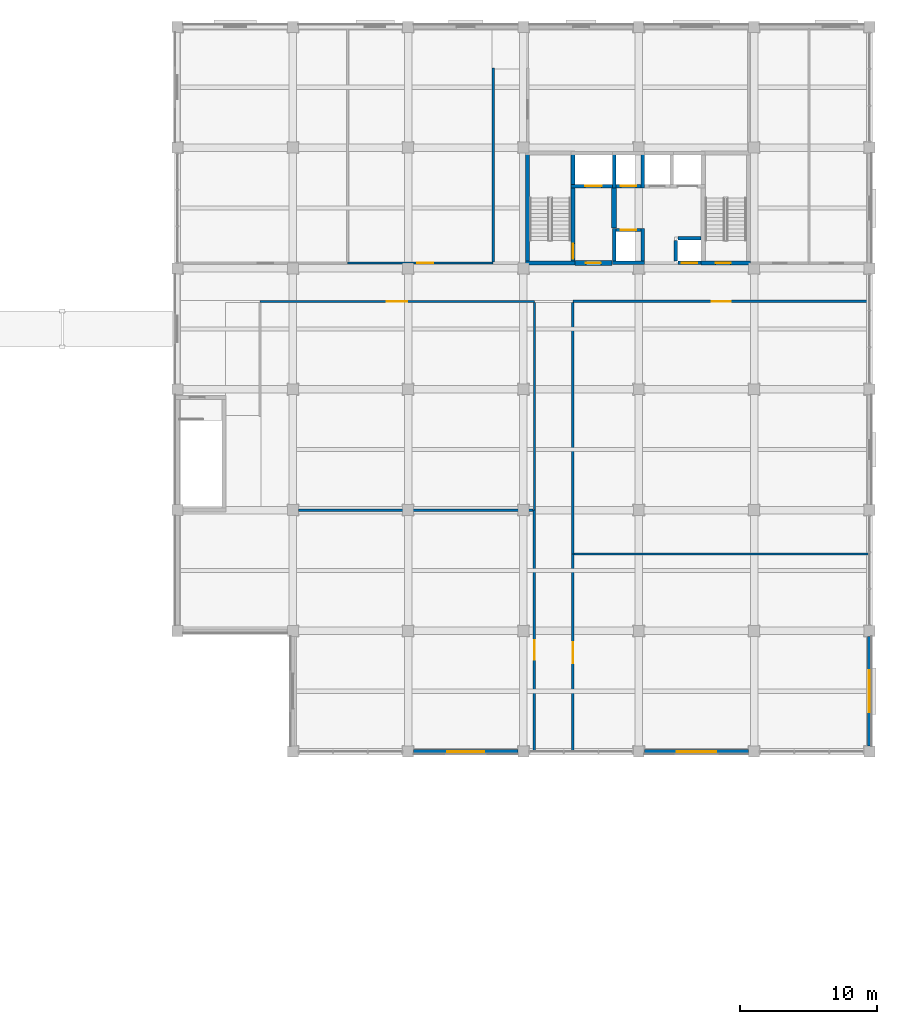
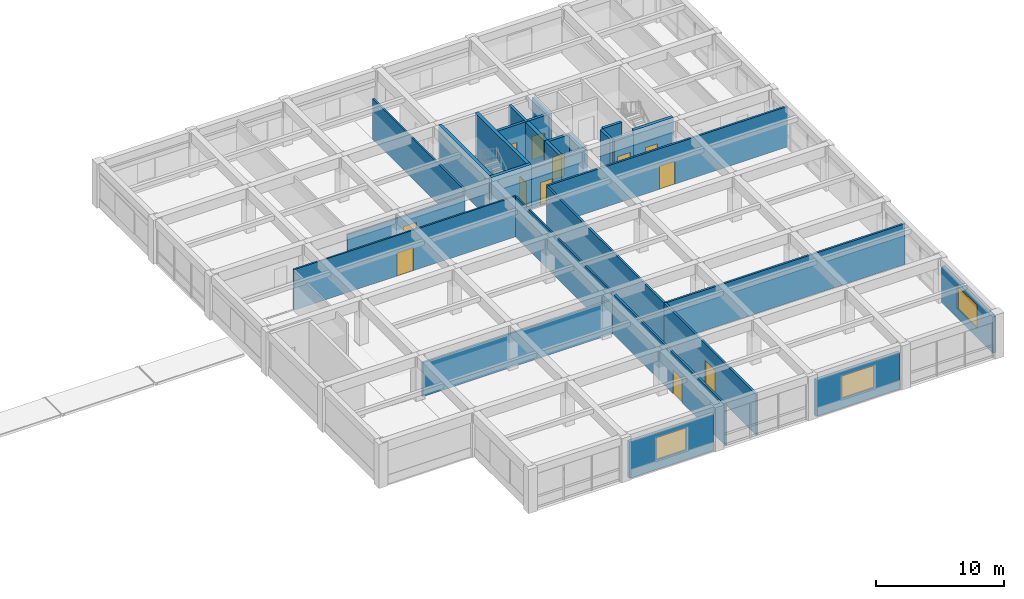
# One storey, part 35 of 46: 30 walls, 12 doors, 3 windows, 15 openings.
"""IFC4 building model written with IfcOpenShell, lengths in metres."""

from ifc_helpers import new_model, si_unit, direction, frame, frame_2d, origin, place, context, subcontext, project, spatial, rectangle, extrude, material, layer, layer_set, type_object, element, fill, save


model = new_model("IFC4")

# Units and contexts
model_context = context("Model", 3, precision=1e-05, world=origin(), true_north=direction((0.0, 1.0)))
body_context = subcontext(model_context, "Body", "Model", "MODEL_VIEW")
ifc_project = project(units=[si_unit("LENGTHUNIT", "METRE"), si_unit("AREAUNIT", "SQUARE_METRE"), si_unit("VOLUMEUNIT", "CUBIC_METRE"), si_unit("PLANEANGLEUNIT", "RADIAN"), si_unit("MASSUNIT", "GRAM", prefix="KILO")], contexts=[model_context])

# Site, building, storey
site_placement = place(None, origin())
site = spatial("IfcSite", under=ifc_project, at=site_placement, CompositionType="ELEMENT")
building_placement = place(site_placement, origin())
building = spatial("IfcBuilding", under=site, at=building_placement, Name="Kemercrest Conservatory and Botanical Centre", CompositionType="ELEMENT")
storey_placement = place(building_placement, frame((0.0, 0.0, 9.0)))
storey = spatial("IfcBuildingStorey", under=building, at=storey_placement, Name="L02", CompositionType="ELEMENT", Elevation=9.0)

# Wall
ifc_material_1 = material(Name="Concrete C50/60", Category="concrete")
ifc_layer_1 = layer(ifc_material_1, 0.35009765625)
ifc_layer_set_1 = layer_set([ifc_layer_1], Name="Concrete C50/60")
wall_type_1 = type_object("IfcWallType", Name="CW-CORE", PredefinedType="SHEAR", material=ifc_layer_set_1)
wall_1_placement = place(storey_placement, frame((157.39990234375, 107.75, 0.0), z_axis=(0.0, 0.0, 1.0), x_axis=(0.0, 1.0, 0.0)))
element("IfcWall", 1, at=wall_1_placement, inside=storey, type_object=wall_type_1, Name="Firefighting lift lobby 2-hour separation shear wall", PredefinedType="SHEAR", context=body_context, shape_type="SweptSolid", body=[
    extrude(rectangle(XDim=2.89990234375, YDim=0.35009765625, at=frame_2d((1.449951171875, 0.0))), origin(), (0.0, 0.0, 1.0), 3.8798828125),
])

# Wall, opening, door
wall_2_placement = place(storey_placement, frame((154.550048828125, 105.199951171875, 0.0), z_axis=(0.0, 0.0, 1.0), x_axis=(1.0, 0.0, 0.0)))
wall_2 = element("IfcWall", 2, at=wall_2_placement, inside=storey, type_object=wall_type_1, Name="Firefighting lift lobby south shear wall", PredefinedType="SHEAR", context=body_context, shape_type="SweptSolid", body=[
    extrude(rectangle(XDim=2.699951171875, YDim=0.35009765625, at=frame_2d((1.35009765625, 0.0))), origin(), (0.0, 0.0, 1.0), 3.8798828125),
])
opening_1_placement = place(wall_2_placement, frame((0.800048828125, 0.0, 0.0)))
opening_1 = element("IfcOpeningElement", 3, at=opening_1_placement, cuts=wall_2, Name="Opening D075", PredefinedType="OPENING", context=body_context, shape_type="SweptSolid", body=[
    extrude(rectangle(XDim=1.10009765625, YDim=2.199951171875, at=frame_2d((0.550048828125, 1.10009765625))), frame((0.0, 0.18505859375, 0.0), z_axis=(0.0, -1.0, 0.0), x_axis=(1.0, 0.0, 0.0)), (0.0, 0.0, 1.0), 0.3701171875),
])
ifc_material_2 = material(Name="Powder-coated galvanized steel and fire-rated vision glass", Category="steel")
door_type_1 = type_object("IfcDoorType", Name="DT-FD90", OperationType="NOTDEFINED", PredefinedType="DOOR", material=ifc_material_2)
door_1_placement = place(opening_1_placement, origin())
door_1 = element("IfcDoor", 4, at=door_1_placement, inside=storey, type_object=door_type_1, Name="Firefighting lift lobby corridor fire door D075", OperationType="SINGLE_SWING_LEFT", OverallHeight=2.199951171875, OverallWidth=1.10009765625, PredefinedType="DOOR", context=body_context, shape_type="SweptSolid", body=[
    extrude(rectangle(XDim=1.10009765625, YDim=2.199951171875, at=frame_2d((0.550048828125, 1.10009765625))), frame((0.0, 0.02490234375, 0.0), z_axis=(0.0, -1.0, 0.0), x_axis=(1.0, 0.0, 0.0)), (0.0, 0.0, 1.0), 0.050048828125),
])
fill(opening_1, door_1)

# Walls
ifc_layer_2 = layer(ifc_material_1, 0.300048828125)
ifc_layer_set_2 = layer_set([ifc_layer_2], Name="Concrete C50/60")
wall_type_2 = type_object("IfcWallType", Name="CW-STAIR", PredefinedType="SHEAR", material=ifc_layer_set_2)
wall_3_placement = place(storey_placement, frame((150.949951171875, 105.199951171875, 0.0), z_axis=(0.0, 0.0, 1.0), x_axis=(1.0, 0.0, 0.0)))
element("IfcWall", 5, at=wall_3_placement, inside=storey, type_object=wall_type_2, Name="Stair core ST-V4A shear wall S", PredefinedType="SHEAR", context=body_context, shape_type="SweptSolid", body=[
    extrude(rectangle(XDim=3.60009765625, YDim=0.300048828125, at=frame_2d((1.800048828125, 0.0))), origin(), (0.0, 0.0, 1.0), 4.199951171875),
])
wall_4_placement = place(storey_placement, frame((151.10009765625, 105.050048828125, 0.0), z_axis=(0.0, 0.0, 1.0), x_axis=(0.0, 1.0, 0.0)))
element("IfcWall", 6, at=wall_4_placement, inside=storey, type_object=wall_type_2, Name="Stair core ST-V4A shear wall W", PredefinedType="SHEAR", context=body_context, shape_type="SweptSolid", body=[
    extrude(rectangle(XDim=8.300048828125, YDim=0.300048828125, at=frame_2d((4.14990234375, 0.0))), origin(), (0.0, 0.0, 1.0), 4.199951171875),
])

# Wall, opening, door
wall_5_placement = place(storey_placement, frame((154.39990234375, 105.050048828125, 0.0), z_axis=(0.0, 0.0, 1.0), x_axis=(0.0, 1.0, 0.0)))
wall_5 = element("IfcWall", 7, at=wall_5_placement, inside=storey, type_object=wall_type_2, Name="Stair core ST-V4A shear wall E", PredefinedType="SHEAR", context=body_context, shape_type="SweptSolid", body=[
    extrude(rectangle(XDim=8.300048828125, YDim=0.300048828125, at=frame_2d((4.14990234375, 0.0))), origin(), (0.0, 0.0, 1.0), 4.199951171875),
])
opening_2_placement = place(wall_5_placement, frame((0.449951171875, 0.0, 0.0)))
opening_2 = element("IfcOpeningElement", 8, at=opening_2_placement, cuts=wall_5, Name="Opening D028", PredefinedType="OPENING", context=body_context, shape_type="SweptSolid", body=[
    extrude(rectangle(XDim=1.10009765625, YDim=2.199951171875, at=frame_2d((0.550048828125, 1.10009765625))), frame((0.0, 0.16015625, 0.0), z_axis=(0.0, -1.0, 0.0), x_axis=(1.0, 0.0, 0.0)), (0.0, 0.0, 1.0), 0.320068359375),
])
door_2_placement = place(opening_2_placement, frame((1.10009765625, 0.0, 0.0), z_axis=(0.0, 0.0, 1.0), x_axis=(-1.0, 0.0, 0.0)))
door_2 = element("IfcDoor", 9, at=door_2_placement, inside=storey, type_object=door_type_1, Name="Exit stair ST-V4A fire door D028", OperationType="SINGLE_SWING_RIGHT", OverallHeight=2.199951171875, OverallWidth=1.10009765625, PredefinedType="DOOR", context=body_context, shape_type="SweptSolid", body=[
    extrude(rectangle(XDim=1.10009765625, YDim=2.199951171875, at=frame_2d((0.550048828125, 1.10009765625))), frame((0.0, 0.02490234375, 0.0), z_axis=(0.0, -1.0, 0.0), x_axis=(1.0, 0.0, 0.0)), (0.0, 0.0, 1.0), 0.050048828125),
])
fill(opening_2, door_2)

wall_6_placement = place(storey_placement, frame((163.75, 105.199951171875, 0.0), z_axis=(0.0, 0.0, 1.0), x_axis=(1.0, 0.0, 0.0)))
wall_6 = element("IfcWall", 10, at=wall_6_placement, inside=storey, type_object=wall_type_2, Name="Stair core ST-V4B shear wall S", PredefinedType="SHEAR", context=body_context, shape_type="SweptSolid", body=[
    extrude(rectangle(XDim=3.60009765625, YDim=0.300048828125, at=frame_2d((1.800048828125, 0.0))), origin(), (0.0, 0.0, 1.0), 4.199951171875),
])
opening_3_placement = place(wall_6_placement, frame((1.050048828125, 0.0, 0.0)))
opening_3 = element("IfcOpeningElement", 11, at=opening_3_placement, cuts=wall_6, Name="Opening D047", PredefinedType="OPENING", context=body_context, shape_type="SweptSolid", body=[
    extrude(rectangle(XDim=1.10009765625, YDim=2.199951171875, at=frame_2d((0.550048828125, 1.10009765625))), frame((0.0, 0.16015625, 0.0), z_axis=(0.0, -1.0, 0.0), x_axis=(1.0, 0.0, 0.0)), (0.0, 0.0, 1.0), 0.320068359375),
])
door_3_placement = place(opening_3_placement, origin())
door_3 = element("IfcDoor", 12, at=door_3_placement, inside=storey, type_object=door_type_1, Name="Exit stair ST-V4B fire door D047", OperationType="SINGLE_SWING_LEFT", OverallHeight=2.199951171875, OverallWidth=1.10009765625, PredefinedType="DOOR", context=body_context, shape_type="SweptSolid", body=[
    extrude(rectangle(XDim=1.10009765625, YDim=2.199951171875, at=frame_2d((0.550048828125, 1.10009765625))), frame((0.0, 0.02490234375, 0.0), z_axis=(0.0, -1.0, 0.0), x_axis=(1.0, 0.0, 0.0)), (0.0, 0.0, 1.0), 0.050048828125),
])
fill(opening_3, door_3)

# Wall, opening, window
ifc_material_3 = material(Name="Precast concrete C40/50", Category="concrete")
ifc_layer_3 = layer(ifc_material_3, 0.300048828125)
ifc_layer_set_3 = layer_set([ifc_layer_3], Name="Precast concrete C40/50")
wall_type_3 = type_object("IfcWallType", Name="W-EXT300", PredefinedType="SOLIDWALL", material=ifc_layer_set_3)
wall_7_placement = place(storey_placement, frame((142.81005859375, 69.60009765625, 0.0), z_axis=(0.0, 0.0, 1.0), x_axis=(1.0, 0.0, 0.0)))
wall_7 = element("IfcWall", 13, at=wall_7_placement, inside=storey, type_object=wall_type_3, Name="Exterior almasik wall W-EXT300 (WAL:L02:EXT-193)", PredefinedType="SOLIDWALL", context=body_context, shape_type="SweptSolid", body=[
    extrude(rectangle(XDim=7.579833984375, YDim=0.300048828125, at=frame_2d((3.7900390625, 0.0))), origin(), (0.0, 0.0, 1.0), 3.449951171875),
])
opening_4_placement = place(wall_7_placement, frame((2.449951171875, 0.0, 0.89990234375)))
opening_4 = element("IfcOpeningElement", 14, at=opening_4_placement, cuts=wall_7, Name="Opening WT-38", PredefinedType="OPENING", context=body_context, shape_type="SweptSolid", body=[
    extrude(rectangle(XDim=2.679931640625, YDim=2.1201171875, at=frame_2d((1.33984375, 1.06005859375))), frame((0.0, 0.16015625, 0.0), z_axis=(0.0, -1.0, 0.0), x_axis=(1.0, 0.0, 0.0)), (0.0, 0.0, 1.0), 0.320068359375),
])
ifc_material_4 = material(Name="Thermally broken bronze-anodized aluminium and triple glazing", Category="aluminium")
window_type_1 = type_object("IfcWindowType", Name="WT-38", PartitioningType="SINGLE_PANEL", PredefinedType="WINDOW", material=ifc_material_4)
window_1_placement = place(opening_4_placement, origin())
window_1 = element("IfcWindow", 15, at=window_1_placement, inside=storey, type_object=window_type_1, Name="Exterior window WT-38 (WIN:L02:EXT-193)", OverallHeight=2.1201171875, OverallWidth=2.679931640625, PartitioningType="SINGLE_PANEL", PredefinedType="WINDOW", context=body_context, shape_type="SweptSolid", body=[
    extrude(rectangle(XDim=2.679931640625, YDim=2.1201171875, at=frame_2d((1.33984375, 1.06005859375))), frame((0.0, 0.030029296875, 0.0), z_axis=(0.0, -1.0, 0.0), x_axis=(1.0, 0.0, 0.0)), (0.0, 0.0, 1.0), 0.06005859375),
])
fill(opening_4, window_1)

wall_8_placement = place(storey_placement, frame((159.610107421875, 69.60009765625, 0.0), z_axis=(0.0, 0.0, 1.0), x_axis=(1.0, 0.0, 0.0)))
wall_8 = element("IfcWall", 16, at=wall_8_placement, inside=storey, type_object=wall_type_3, Name="Exterior almasik wall W-EXT300 (WAL:L02:EXT-194)", PredefinedType="SOLIDWALL", context=body_context, shape_type="SweptSolid", body=[
    extrude(rectangle(XDim=7.579833984375, YDim=0.300048828125, at=frame_2d((3.7900390625, 0.0))), origin(), (0.0, 0.0, 1.0), 3.449951171875),
])
opening_5_placement = place(wall_8_placement, frame((2.35009765625, 0.0, 0.89990234375)))
opening_5 = element("IfcOpeningElement", 17, at=opening_5_placement, cuts=wall_8, Name="Opening WT-39", PredefinedType="OPENING", context=body_context, shape_type="SweptSolid", body=[
    extrude(rectangle(XDim=2.8798828125, YDim=2.139892578125, at=frame_2d((1.43994140625, 1.06982421875))), frame((0.0, 0.16015625, 0.0), z_axis=(0.0, -1.0, 0.0), x_axis=(1.0, 0.0, 0.0)), (0.0, 0.0, 1.0), 0.320068359375),
])
window_type_2 = type_object("IfcWindowType", Name="WT-39", PartitioningType="SINGLE_PANEL", PredefinedType="WINDOW", material=ifc_material_4)
window_2_placement = place(opening_5_placement, origin())
window_2 = element("IfcWindow", 18, at=window_2_placement, inside=storey, type_object=window_type_2, Name="Exterior window WT-39 (WIN:L02:EXT-194)", OverallHeight=2.139892578125, OverallWidth=2.8798828125, PartitioningType="SINGLE_PANEL", PredefinedType="WINDOW", context=body_context, shape_type="SweptSolid", body=[
    extrude(rectangle(XDim=2.8798828125, YDim=2.139892578125, at=frame_2d((1.43994140625, 1.06982421875))), frame((0.0, 0.030029296875, 0.0), z_axis=(0.0, -1.0, 0.0), x_axis=(1.0, 0.0, 0.0)), (0.0, 0.0, 1.0), 0.06005859375),
])
fill(opening_5, window_2)

wall_9_placement = place(storey_placement, frame((176.0, 70.010009765625, 0.0), z_axis=(0.0, 0.0, 1.0), x_axis=(0.0, 1.0, 0.0)))
wall_9 = element("IfcWall", 19, at=wall_9_placement, inside=storey, type_object=wall_type_3, Name="Exterior almasik wall W-EXT300 (WAL:L02:EXT-195)", PredefinedType="SOLIDWALL", context=body_context, shape_type="SweptSolid", body=[
    extrude(rectangle(XDim=7.97998046875, YDim=0.300048828125, at=frame_2d((3.989990234375, 0.0))), origin(), (0.0, 0.0, 1.0), 3.449951171875),
])
opening_6_placement = place(wall_9_placement, frame((2.449951171875, 0.0, 0.89990234375)))
opening_6 = element("IfcOpeningElement", 20, at=opening_6_placement, cuts=wall_9, Name="Opening WT-40", PredefinedType="OPENING", context=body_context, shape_type="SweptSolid", body=[
    extrude(rectangle(XDim=3.080078125, YDim=2.179931640625, at=frame_2d((1.5400390625, 1.08984375))), frame((0.0, 0.16015625, 0.0), z_axis=(0.0, -1.0, 0.0), x_axis=(1.0, 0.0, 0.0)), (0.0, 0.0, 1.0), 0.320068359375),
])
window_type_3 = type_object("IfcWindowType", Name="WT-40", PartitioningType="SINGLE_PANEL", PredefinedType="WINDOW", material=ifc_material_4)
window_3_placement = place(opening_6_placement, origin())
window_3 = element("IfcWindow", 21, at=window_3_placement, inside=storey, type_object=window_type_3, Name="Exterior window WT-40 (WIN:L02:EXT-195)", OverallHeight=2.179931640625, OverallWidth=3.080078125, PartitioningType="SINGLE_PANEL", PredefinedType="WINDOW", context=body_context, shape_type="SweptSolid", body=[
    extrude(rectangle(XDim=3.080078125, YDim=2.179931640625, at=frame_2d((1.5400390625, 1.08984375))), frame((0.0, 0.030029296875, 0.0), z_axis=(0.0, -1.0, 0.0), x_axis=(1.0, 0.0, 0.0)), (0.0, 0.0, 1.0), 0.06005859375),
])
fill(opening_6, window_3)

# Wall, opening, door
ifc_material_5 = material(Name="Steel-stud gypsum board partition", Category="steel")
ifc_layer_4 = layer(ifc_material_5, 0.14990234375)
ifc_layer_set_4 = layer_set([ifc_layer_4], Name="Steel-stud gypsum board partition")
wall_type_4 = type_object("IfcWallType", Name="W-PART150", PredefinedType="PARTITIONING", material=ifc_layer_set_4)
wall_10_placement = place(storey_placement, frame((131.60009765625, 102.39990234375, 0.0), z_axis=(0.0, 0.0, 1.0), x_axis=(1.0, 0.0, 0.0)))
wall_10 = element("IfcWall", 22, at=wall_10_placement, inside=storey, type_object=wall_type_4, Name="Interior partition W-PART150 #119", PredefinedType="PARTITIONING", context=body_context, shape_type="SweptSolid", body=[
    extrude(rectangle(XDim=20.0, YDim=0.14990234375, at=frame_2d((10.0, 0.0))), origin(), (0.0, 0.0, 1.0), 3.864990234375),
])
opening_7_placement = place(wall_10_placement, frame((9.260009765625, 0.0, 0.0)))
opening_7 = element("IfcOpeningElement", 23, at=opening_7_placement, cuts=wall_10, Name="Opening D177", PredefinedType="OPENING", context=body_context, shape_type="SweptSolid", body=[
    extrude(rectangle(XDim=1.47998046875, YDim=2.199951171875, at=frame_2d((0.739990234375, 1.10009765625))), frame((0.0, 0.0849609375, 0.0), z_axis=(0.0, -1.0, 0.0), x_axis=(1.0, 0.0, 0.0)), (0.0, 0.0, 1.0), 0.169921875),
])
ifc_material_6 = material(Name="FSC solid-core white oak veneer and anodized aluminium frame", Category="aluminium")
door_type_2 = type_object("IfcDoorType", Name="DT-09", OperationType="DOUBLE_DOOR_SINGLE_SWING", PredefinedType="DOOR", material=ifc_material_6)
door_4_placement = place(opening_7_placement, origin())
door_4 = element("IfcDoor", 24, at=door_4_placement, inside=storey, type_object=door_type_2, Name="Botanical Seminar Room door D177", OperationType="DOUBLE_DOOR_SINGLE_SWING", OverallHeight=2.199951171875, OverallWidth=1.47998046875, PredefinedType="DOOR", context=body_context, shape_type="SweptSolid", body=[
    extrude(rectangle(XDim=1.47998046875, YDim=2.199951171875, at=frame_2d((0.739990234375, 1.10009765625))), frame((0.0, 0.02490234375, 0.0), z_axis=(0.0, -1.0, 0.0), x_axis=(1.0, 0.0, 0.0)), (0.0, 0.0, 1.0), 0.050048828125),
])
fill(opening_7, door_4)

wall_11_placement = place(storey_placement, frame((138.0, 105.199951171875, 0.0), z_axis=(0.0, 0.0, 1.0), x_axis=(1.0, 0.0, 0.0)))
wall_11 = element("IfcWall", 25, at=wall_11_placement, inside=storey, type_object=wall_type_4, Name="Interior partition W-PART150 #121", PredefinedType="PARTITIONING", context=body_context, shape_type="SweptSolid", body=[
    extrude(rectangle(XDim=10.60009765625, YDim=0.14990234375, at=frame_2d((5.300048828125, 0.0))), origin(), (0.0, 0.0, 1.0), 3.2451171875),
])
opening_8_placement = place(wall_11_placement, frame((5.06005859375, 0.0, 0.0)))
opening_8 = element("IfcOpeningElement", 26, at=opening_8_placement, cuts=wall_11, Name="Opening D179", PredefinedType="OPENING", context=body_context, shape_type="SweptSolid", body=[
    extrude(rectangle(XDim=1.179931640625, YDim=2.239990234375, at=frame_2d((0.58984375, 1.1201171875))), frame((0.0, 0.0849609375, 0.0), z_axis=(0.0, -1.0, 0.0), x_axis=(1.0, 0.0, 0.0)), (0.0, 0.0, 1.0), 0.169921875),
])
door_type_3 = type_object("IfcDoorType", Name="DT-26", OperationType="NOTDEFINED", PredefinedType="DOOR", material=ifc_material_6)
door_5_placement = place(opening_8_placement, origin())
door_5 = element("IfcDoor", 27, at=door_5_placement, inside=storey, type_object=door_type_3, Name="Taxonomic Reference Studio door D179", OperationType="SINGLE_SWING_LEFT", OverallHeight=2.239990234375, OverallWidth=1.179931640625, PredefinedType="DOOR", context=body_context, shape_type="SweptSolid", body=[
    extrude(rectangle(XDim=1.179931640625, YDim=2.239990234375, at=frame_2d((0.58984375, 1.1201171875))), frame((0.0, 0.02490234375, 0.0), z_axis=(0.0, -1.0, 0.0), x_axis=(1.0, 0.0, 0.0)), (0.0, 0.0, 1.0), 0.050048828125),
])
fill(opening_8, door_5)

# Walls
wall_12_placement = place(storey_placement, frame((151.60009765625, 87.199951171875, 0.0), z_axis=(0.0, 0.0, 1.0), x_axis=(0.0, 1.0, 0.0)))
element("IfcWall", 28, at=wall_12_placement, inside=storey, type_object=wall_type_4, Name="Interior partition W-PART150 #128", PredefinedType="PARTITIONING", context=body_context, shape_type="SweptSolid", body=[
    extrude(rectangle(XDim=15.1201171875, YDim=0.14990234375, at=frame_2d((7.56005859375, 0.0))), origin(), (0.0, 0.0, 1.0), 3.864990234375),
])
wall_13_placement = place(storey_placement, frame((148.60009765625, 105.280029296875, 0.0), z_axis=(0.0, 0.0, 1.0), x_axis=(0.0, 1.0, 0.0)))
element("IfcWall", 29, at=wall_13_placement, inside=storey, type_object=wall_type_4, Name="Interior partition W-PART150 #129", PredefinedType="PARTITIONING", context=body_context, shape_type="SweptSolid", body=[
    extrude(rectangle(XDim=14.119873046875, YDim=0.14990234375, at=frame_2d((7.06005859375, 0.0))), origin(), (0.0, 0.0, 1.0), 3.864990234375),
])

# Wall, opening, door
ifc_material_7 = material(Name="Acoustic steel-stud gypsum board assembly", Category="steel")
ifc_layer_5 = layer(ifc_material_7, 0.179931640625)
ifc_layer_set_5 = layer_set([ifc_layer_5], Name="Acoustic steel-stud gypsum board assembly")
wall_type_5 = type_object("IfcWallType", Name="W-PART180", PredefinedType="PARTITIONING", material=ifc_layer_set_5)
wall_14_placement = place(storey_placement, frame((154.39990234375, 102.39990234375, 0.0), z_axis=(0.0, 0.0, 1.0), x_axis=(1.0, 0.0, 0.0)))
wall_14 = element("IfcWall", 30, at=wall_14_placement, inside=storey, type_object=wall_type_5, Name="Interior partition W-PART180 #118", PredefinedType="PARTITIONING", context=body_context, shape_type="SweptSolid", body=[
    extrude(rectangle(XDim=21.60009765625, YDim=0.179931640625, at=frame_2d((10.800048828125, 0.0))), origin(), (0.0, 0.0, 1.0), 3.864990234375),
])
opening_9_placement = place(wall_14_placement, frame((10.110107421875, 0.0, 0.0)))
opening_9 = element("IfcOpeningElement", 31, at=opening_9_placement, cuts=wall_14, Name="Opening D176", PredefinedType="OPENING", context=body_context, shape_type="SweptSolid", body=[
    extrude(rectangle(XDim=1.3798828125, YDim=2.199951171875, at=frame_2d((0.68994140625, 1.10009765625))), frame((0.0, 0.10009765625, 0.0), z_axis=(0.0, -1.0, 0.0), x_axis=(1.0, 0.0, 0.0)), (0.0, 0.0, 1.0), 0.199951171875),
])
door_type_4 = type_object("IfcDoorType", Name="DT-08", OperationType="DOUBLE_DOOR_SINGLE_SWING", PredefinedType="DOOR", material=ifc_material_6)
door_6_placement = place(opening_9_placement, origin())
door_6 = element("IfcDoor", 32, at=door_6_placement, inside=storey, type_object=door_type_4, Name="Phytochemistry Laboratory door D176", OperationType="DOUBLE_DOOR_SINGLE_SWING", OverallHeight=2.199951171875, OverallWidth=1.3798828125, PredefinedType="DOOR", context=body_context, shape_type="SweptSolid", body=[
    extrude(rectangle(XDim=1.3798828125, YDim=2.199951171875, at=frame_2d((0.68994140625, 1.10009765625))), frame((0.0, 0.02490234375, 0.0), z_axis=(0.0, -1.0, 0.0), x_axis=(1.0, 0.0, 0.0)), (0.0, 0.0, 1.0), 0.050048828125),
])
fill(opening_9, door_6)

wall_15_placement = place(storey_placement, frame((151.60009765625, 69.60009765625, 0.0), z_axis=(0.0, 0.0, 1.0), x_axis=(0.0, 1.0, 0.0)))
wall_15 = element("IfcWall", 33, at=wall_15_placement, inside=storey, type_object=wall_type_5, Name="Interior partition W-PART180 #125", PredefinedType="PARTITIONING", context=body_context, shape_type="SweptSolid", body=[
    extrude(rectangle(XDim=17.599853515625, YDim=0.179931640625, at=frame_2d((8.7998046875, 0.0))), origin(), (0.0, 0.0, 1.0), 3.864990234375),
])
opening_10_placement = place(wall_15_placement, frame((6.679931640625, 0.0, 0.0)))
opening_10 = element("IfcOpeningElement", 34, at=opening_10_placement, cuts=wall_15, Name="Opening D182", PredefinedType="OPENING", context=body_context, shape_type="SweptSolid", body=[
    extrude(rectangle(XDim=1.43994140625, YDim=2.260009765625, at=frame_2d((0.719970703125, 1.1298828125))), frame((0.0, 0.10009765625, 0.0), z_axis=(0.0, -1.0, 0.0), x_axis=(1.0, 0.0, 0.0)), (0.0, 0.0, 1.0), 0.199951171875),
])
door_type_5 = type_object("IfcDoorType", Name="DT-29", OperationType="DOUBLE_DOOR_SINGLE_SWING", PredefinedType="DOOR", material=ifc_material_6)
door_7_placement = place(opening_10_placement, origin())
door_7 = element("IfcDoor", 35, at=door_7_placement, inside=storey, type_object=door_type_5, Name="Soil Ecology Research Laboratory door D182", OperationType="DOUBLE_DOOR_SINGLE_SWING", OverallHeight=2.260009765625, OverallWidth=1.43994140625, PredefinedType="DOOR", context=body_context, shape_type="SweptSolid", body=[
    extrude(rectangle(XDim=1.43994140625, YDim=2.260009765625, at=frame_2d((0.719970703125, 1.1298828125))), frame((0.0, 0.02490234375, 0.0), z_axis=(0.0, -1.0, 0.0), x_axis=(1.0, 0.0, 0.0)), (0.0, 0.0, 1.0), 0.050048828125),
])
fill(opening_10, door_7)

wall_16_placement = place(storey_placement, frame((154.39990234375, 69.60009765625, 0.0), z_axis=(0.0, 0.0, 1.0), x_axis=(0.0, 1.0, 0.0)))
wall_16 = element("IfcWall", 36, at=wall_16_placement, inside=storey, type_object=wall_type_5, Name="Interior partition W-PART180 #126", PredefinedType="PARTITIONING", context=body_context, shape_type="SweptSolid", body=[
    extrude(rectangle(XDim=14.39990234375, YDim=0.179931640625, at=frame_2d((7.199951171875, 0.0))), origin(), (0.0, 0.0, 1.0), 3.864990234375),
])
opening_11_placement = place(wall_16_placement, frame((6.429931640625, 0.0, 0.0)))
opening_11 = element("IfcOpeningElement", 37, at=opening_11_placement, cuts=wall_16, Name="Opening D183", PredefinedType="OPENING", context=body_context, shape_type="SweptSolid", body=[
    extrude(rectangle(XDim=1.5400390625, YDim=2.300048828125, at=frame_2d((0.77001953125, 1.14990234375))), frame((0.0, 0.10009765625, 0.0), z_axis=(0.0, -1.0, 0.0), x_axis=(1.0, 0.0, 0.0)), (0.0, 0.0, 1.0), 0.199951171875),
])
door_type_6 = type_object("IfcDoorType", Name="DT-30", OperationType="DOUBLE_DOOR_SINGLE_SWING", PredefinedType="DOOR", material=ifc_material_6)
door_8_placement = place(opening_11_placement, origin())
door_8 = element("IfcDoor", 38, at=door_8_placement, inside=storey, type_object=door_type_6, Name="Mycology Research Laboratory door D183", OperationType="DOUBLE_DOOR_SINGLE_SWING", OverallHeight=2.300048828125, OverallWidth=1.5400390625, PredefinedType="DOOR", context=body_context, shape_type="SweptSolid", body=[
    extrude(rectangle(XDim=1.5400390625, YDim=2.300048828125, at=frame_2d((0.77001953125, 1.14990234375))), frame((0.0, 0.02490234375, 0.0), z_axis=(0.0, -1.0, 0.0), x_axis=(1.0, 0.0, 0.0)), (0.0, 0.0, 1.0), 0.050048828125),
])
fill(opening_11, door_8)

# Walls
wall_17_placement = place(storey_placement, frame((154.39990234375, 84.0, 0.0), z_axis=(0.0, 0.0, 1.0), x_axis=(0.0, 1.0, 0.0)))
element("IfcWall", 39, at=wall_17_placement, inside=storey, type_object=wall_type_5, Name="Interior partition W-PART180 #127", PredefinedType="PARTITIONING", context=body_context, shape_type="SweptSolid", body=[
    extrude(rectangle(XDim=18.304931640625, YDim=0.179931640625, at=frame_2d((9.15234375, 0.0))), origin(), (0.0, 0.0, 1.0), 3.864990234375),
])
wall_18_placement = place(storey_placement, frame((134.39990234375, 87.199951171875, 0.0), z_axis=(0.0, 0.0, 1.0), x_axis=(1.0, 0.0, 0.0)))
element("IfcWall", 40, at=wall_18_placement, inside=storey, type_object=wall_type_5, Name="Interior partition W-PART180 #134", PredefinedType="PARTITIONING", context=body_context, shape_type="SweptSolid", body=[
    extrude(rectangle(XDim=17.10498046875, YDim=0.179931640625, at=frame_2d((8.552490234375, 0.0))), origin(), (0.0, 0.0, 1.0), 3.2451171875),
])
wall_19_placement = place(storey_placement, frame((154.4951171875, 84.0, 0.0), z_axis=(0.0, 0.0, 1.0), x_axis=(1.0, 0.0, 0.0)))
element("IfcWall", 41, at=wall_19_placement, inside=storey, type_object=wall_type_5, Name="Interior partition W-PART180 #135", PredefinedType="PARTITIONING", context=body_context, shape_type="SweptSolid", body=[
    extrude(rectangle(XDim=21.5048828125, YDim=0.179931640625, at=frame_2d((10.75244140625, 0.0))), origin(), (0.0, 0.0, 1.0), 3.864990234375),
])

# Wall, opening, door
ifc_material_8 = material(Name="Concrete C40/50", Category="concrete")
ifc_layer_6 = layer(ifc_material_8, 0.25)
ifc_layer_set_6 = layer_set([ifc_layer_6], Name="Concrete C40/50")
wall_type_6 = type_object("IfcWallType", Name="W-SHFT250", PredefinedType="SOLIDWALL", material=ifc_layer_set_6)
wall_20_placement = place(storey_placement, frame((154.27490234375, 110.800048828125, 0.0), z_axis=(0.0, 0.0, 1.0), x_axis=(1.0, 0.0, 0.0)))
wall_20 = element("IfcWall", 42, at=wall_20_placement, inside=storey, type_object=wall_type_6, Name="Elevator LF-FF1 shaft wall south", PredefinedType="SOLIDWALL", context=body_context, shape_type="SweptSolid", body=[
    extrude(rectangle(XDim=3.25, YDim=0.25, at=frame_2d((1.625, 0.0))), origin(), (0.0, 0.0, 1.0), 3.8798828125),
])
opening_12_placement = place(wall_20_placement, frame((1.02490234375, 0.0, 0.0)))
opening_12 = element("IfcOpeningElement", 43, at=opening_12_placement, cuts=wall_20, Name="Opening LD-004", PredefinedType="OPENING", context=body_context, shape_type="SweptSolid", body=[
    extrude(rectangle(XDim=1.199951171875, YDim=2.199951171875, at=frame_2d((0.60009765625, 1.10009765625))), frame((0.0, 0.135009765625, 0.0), z_axis=(0.0, -1.0, 0.0), x_axis=(1.0, 0.0, 0.0)), (0.0, 0.0, 1.0), 0.27001953125),
])
door_type_7 = type_object("IfcDoorType", Name="DT-LD02", OperationType="SLIDING_TO_LEFT", PredefinedType="DOOR", material=ifc_material_2)
door_9_placement = place(opening_12_placement, origin())
door_9 = element("IfcDoor", 44, at=door_9_placement, inside=storey, type_object=door_type_7, Name="Elevator LF-FF1 sliding landing door LD-004", OperationType="SLIDING_TO_LEFT", OverallHeight=2.199951171875, OverallWidth=1.199951171875, PredefinedType="DOOR", context=body_context, shape_type="SweptSolid", body=[
    extrude(rectangle(XDim=1.199951171875, YDim=2.199951171875, at=frame_2d((0.60009765625, 1.10009765625))), frame((0.0, 0.02490234375, 0.0), z_axis=(0.0, -1.0, 0.0), x_axis=(1.0, 0.0, 0.0)), (0.0, 0.0, 1.0), 0.050048828125),
])
fill(opening_12, door_9)

# Wall
wall_21_placement = place(storey_placement, frame((157.39990234375, 110.675048828125, 0.0), z_axis=(0.0, 0.0, 1.0), x_axis=(0.0, 1.0, 0.0)))
element("IfcWall", 45, at=wall_21_placement, inside=storey, type_object=wall_type_6, Name="Elevator LF-FF1 shaft wall east", PredefinedType="SOLIDWALL", context=body_context, shape_type="SweptSolid", body=[
    extrude(rectangle(XDim=2.64990234375, YDim=0.25, at=frame_2d((1.324951171875, 0.0))), origin(), (0.0, 0.0, 1.0), 3.8798828125),
])

# Wall, opening, door
wall_22_placement = place(storey_placement, frame((157.27490234375, 110.800048828125, 0.0), z_axis=(0.0, 0.0, 1.0), x_axis=(1.0, 0.0, 0.0)))
wall_22 = element("IfcWall", 46, at=wall_22_placement, inside=storey, type_object=wall_type_6, Name="Elevator LF-P1 shaft wall south", PredefinedType="SOLIDWALL", context=body_context, shape_type="SweptSolid", body=[
    extrude(rectangle(XDim=2.35009765625, YDim=0.25, at=frame_2d((1.175048828125, 0.0))), origin(), (0.0, 0.0, 1.0), 3.8798828125),
])
opening_13_placement = place(wall_22_placement, frame((0.625, 0.0, 0.0)))
opening_13 = element("IfcOpeningElement", 47, at=opening_13_placement, cuts=wall_22, Name="Opening LD-023", PredefinedType="OPENING", context=body_context, shape_type="SweptSolid", body=[
    extrude(rectangle(XDim=1.10009765625, YDim=2.199951171875, at=frame_2d((0.550048828125, 1.10009765625))), frame((0.0, 0.135009765625, 0.0), z_axis=(0.0, -1.0, 0.0), x_axis=(1.0, 0.0, 0.0)), (0.0, 0.0, 1.0), 0.27001953125),
])
door_type_8 = type_object("IfcDoorType", Name="DT-LD01", OperationType="SLIDING_TO_LEFT", PredefinedType="DOOR", material=ifc_material_2)
door_10_placement = place(opening_13_placement, origin())
door_10 = element("IfcDoor", 48, at=door_10_placement, inside=storey, type_object=door_type_8, Name="Elevator LF-P1 sliding landing door LD-023", OperationType="SLIDING_TO_LEFT", OverallHeight=2.199951171875, OverallWidth=1.10009765625, PredefinedType="DOOR", context=body_context, shape_type="SweptSolid", body=[
    extrude(rectangle(XDim=1.10009765625, YDim=2.199951171875, at=frame_2d((0.550048828125, 1.10009765625))), frame((0.0, 0.02490234375, 0.0), z_axis=(0.0, -1.0, 0.0), x_axis=(1.0, 0.0, 0.0)), (0.0, 0.0, 1.0), 0.050048828125),
])
fill(opening_13, door_10)

# Walls
wall_23_placement = place(storey_placement, frame((159.5, 110.675048828125, 0.0), z_axis=(0.0, 0.0, 1.0), x_axis=(0.0, 1.0, 0.0)))
element("IfcWall", 49, at=wall_23_placement, inside=storey, type_object=wall_type_6, Name="Elevator LF-P1 shaft wall east", PredefinedType="SOLIDWALL", context=body_context, shape_type="SweptSolid", body=[
    extrude(rectangle(XDim=2.64990234375, YDim=0.25, at=frame_2d((1.324951171875, 0.0))), origin(), (0.0, 0.0, 1.0), 3.8798828125),
])
wall_24_placement = place(storey_placement, frame((157.27490234375, 105.199951171875, 0.0), z_axis=(0.0, 0.0, 1.0), x_axis=(1.0, 0.0, 0.0)))
element("IfcWall", 50, at=wall_24_placement, inside=storey, type_object=wall_type_6, Name="Elevator LF-P3 shaft wall south", PredefinedType="SOLIDWALL", context=body_context, shape_type="SweptSolid", body=[
    extrude(rectangle(XDim=2.35009765625, YDim=0.25, at=frame_2d((1.175048828125, 0.0))), origin(), (0.0, 0.0, 1.0), 3.8798828125),
])

# Wall, opening, door
wall_25_placement = place(storey_placement, frame((157.27490234375, 107.60009765625, 0.0), z_axis=(0.0, 0.0, 1.0), x_axis=(1.0, 0.0, 0.0)))
wall_25 = element("IfcWall", 51, at=wall_25_placement, inside=storey, type_object=wall_type_6, Name="Elevator LF-P3 shaft wall north", PredefinedType="SOLIDWALL", context=body_context, shape_type="SweptSolid", body=[
    extrude(rectangle(XDim=2.35009765625, YDim=0.25, at=frame_2d((1.175048828125, 0.0))), origin(), (0.0, 0.0, 1.0), 3.8798828125),
])
opening_14_placement = place(wall_25_placement, frame((0.625, 0.0, 0.0)))
opening_14 = element("IfcOpeningElement", 52, at=opening_14_placement, cuts=wall_25, Name="Opening LD-060", PredefinedType="OPENING", context=body_context, shape_type="SweptSolid", body=[
    extrude(rectangle(XDim=1.10009765625, YDim=2.199951171875, at=frame_2d((0.550048828125, 1.10009765625))), frame((0.0, 0.135009765625, 0.0), z_axis=(0.0, -1.0, 0.0), x_axis=(1.0, 0.0, 0.0)), (0.0, 0.0, 1.0), 0.27001953125),
])
door_11_placement = place(opening_14_placement, origin())
door_11 = element("IfcDoor", 53, at=door_11_placement, inside=storey, type_object=door_type_8, Name="Elevator LF-P3 sliding landing door LD-060", OperationType="SLIDING_TO_LEFT", OverallHeight=2.199951171875, OverallWidth=1.10009765625, PredefinedType="DOOR", context=body_context, shape_type="SweptSolid", body=[
    extrude(rectangle(XDim=1.10009765625, YDim=2.199951171875, at=frame_2d((0.550048828125, 1.10009765625))), frame((0.0, 0.02490234375, 0.0), z_axis=(0.0, -1.0, 0.0), x_axis=(1.0, 0.0, 0.0)), (0.0, 0.0, 1.0), 0.050048828125),
])
fill(opening_14, door_11)

# Walls
for number, where, z_axis, x_axis, name in (
    (54, (157.39990234375, 105.074951171875, 0.0), (0.0, 0.0, 1.0), (0.0, 1.0, 0.0), "Elevator LF-P3 shaft wall west"),
    (55, (159.5, 105.074951171875, 0.0), (0.0, 0.0, 1.0), (0.0, 1.0, 0.0), "Elevator LF-P3 shaft wall east"),
):
    element("IfcWall", number, at=place(storey_placement, frame(where, z_axis=z_axis, x_axis=x_axis)), inside=storey, type_object=wall_type_6, Name=name, PredefinedType="SOLIDWALL", context=body_context, shape_type="SweptSolid", body=[
        extrude(rectangle(XDim=2.650146484375, YDim=0.25, at=frame_2d((1.3251953125, 0.0))), origin(), (0.0, 0.0, 1.0), 3.8798828125),
    ])
wall_26_placement = place(storey_placement, frame((161.89990234375, 105.35009765625, 0.0), z_axis=(0.0, 0.0, 1.0), x_axis=(0.0, 1.0, 0.0)))
element("IfcWall", 56, at=wall_26_placement, inside=storey, type_object=wall_type_6, Name="Core service riser shaft wall W", PredefinedType="SOLIDWALL", context=body_context, shape_type="SweptSolid", body=[
    extrude(rectangle(XDim=1.5, YDim=0.25, at=frame_2d((0.75, 0.0))), origin(), (0.0, 0.0, 1.0), 3.8798828125),
])
wall_27_placement = place(storey_placement, frame((162.050048828125, 107.0, 0.0), z_axis=(0.0, 0.0, 1.0), x_axis=(1.0, 0.0, 0.0)))
element("IfcWall", 57, at=wall_27_placement, inside=storey, type_object=wall_type_6, Name="Core service riser shaft wall N", PredefinedType="SOLIDWALL", context=body_context, shape_type="SweptSolid", body=[
    extrude(rectangle(XDim=1.699951171875, YDim=0.25, at=frame_2d((0.85009765625, 0.0))), origin(), (0.0, 0.0, 1.0), 3.8798828125),
])

# Wall, opening, door
wall_28_placement = place(storey_placement, frame((162.050048828125, 105.199951171875, 0.0), z_axis=(0.0, 0.0, 1.0), x_axis=(1.0, 0.0, 0.0)))
wall_28 = element("IfcWall", 58, at=wall_28_placement, inside=storey, type_object=wall_type_6, Name="Core service riser shaft wall S", PredefinedType="SOLIDWALL", context=body_context, shape_type="SweptSolid", body=[
    extrude(rectangle(XDim=1.699951171875, YDim=0.25, at=frame_2d((0.85009765625, 0.0))), origin(), (0.0, 0.0, 1.0), 3.8798828125),
])
opening_15_placement = place(wall_28_placement, frame((0.27001953125, 0.0, 0.0)))
opening_15 = element("IfcOpeningElement", 59, at=opening_15_placement, cuts=wall_28, Name="Opening D076", PredefinedType="OPENING", context=body_context, shape_type="SweptSolid", body=[
    extrude(rectangle(XDim=1.14990234375, YDim=2.199951171875, at=frame_2d((0.574951171875, 1.10009765625))), frame((0.0, 0.135009765625, 0.0), z_axis=(0.0, -1.0, 0.0), x_axis=(1.0, 0.0, 0.0)), (0.0, 0.0, 1.0), 0.27001953125),
])
door_type_9 = type_object("IfcDoorType", Name="DT-FD60", OperationType="NOTDEFINED", PredefinedType="DOOR", material=ifc_material_2)
door_12_placement = place(opening_15_placement, origin())
door_12 = element("IfcDoor", 60, at=door_12_placement, inside=storey, type_object=door_type_9, Name="Service riser access fire door D076", OperationType="SINGLE_SWING_RIGHT", OverallHeight=2.199951171875, OverallWidth=1.14990234375, PredefinedType="DOOR", context=body_context, shape_type="SweptSolid", body=[
    extrude(rectangle(XDim=1.14990234375, YDim=2.199951171875, at=frame_2d((0.574951171875, 1.10009765625))), frame((0.0, 0.02490234375, 0.0), z_axis=(0.0, -1.0, 0.0), x_axis=(1.0, 0.0, 0.0)), (0.0, 0.0, 1.0), 0.050048828125),
])
fill(opening_15, door_12)

save(model, "model.ifc")
